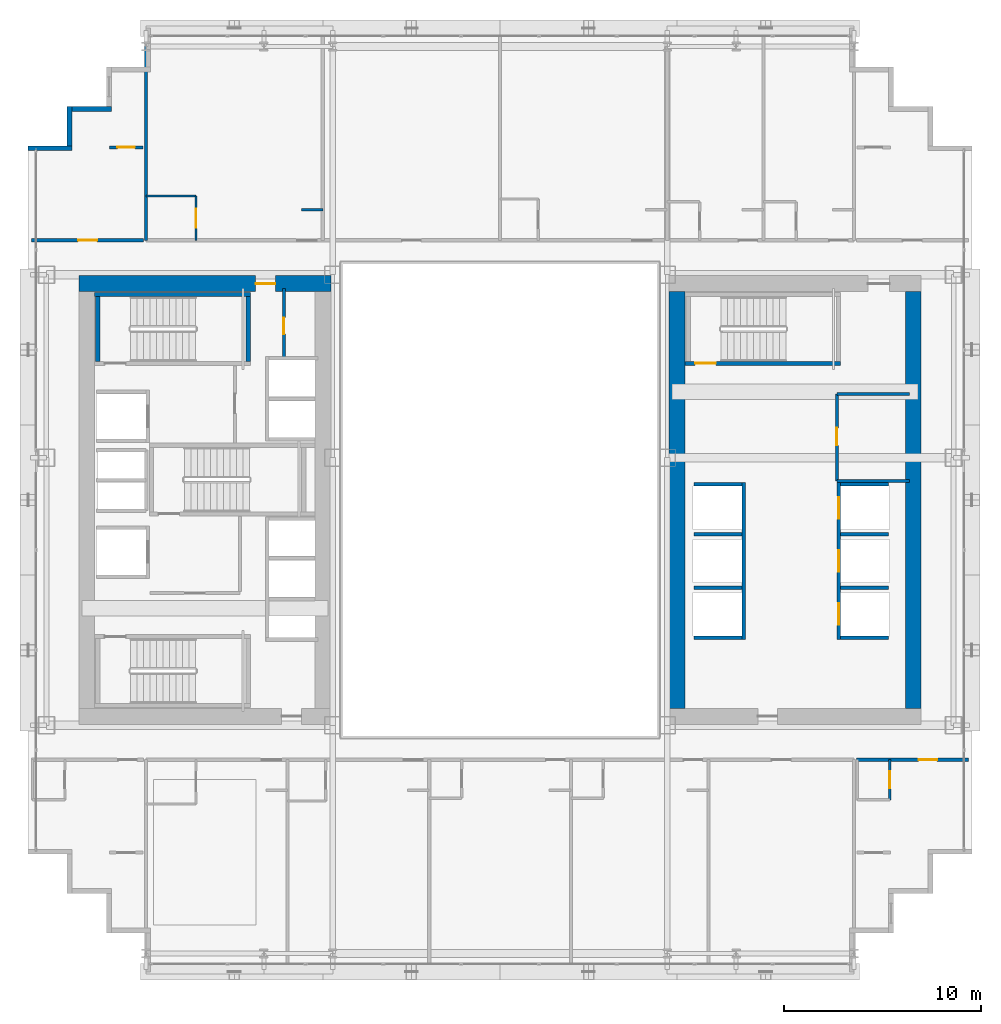
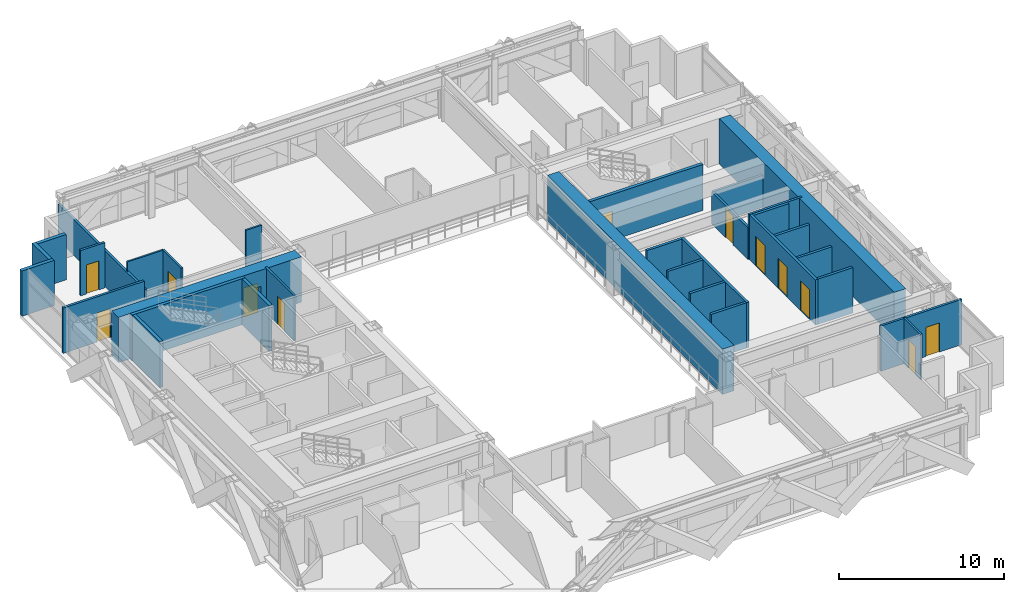
# One storey, part 29 of 35: 32 walls, 12 doors, 12 openings.
"""IFC4 building model written with IfcOpenShell, lengths in metres."""

from ifc_helpers import new_model, si_unit, direction, frame, frame_2d, origin, place, context, subcontext, project, spatial, rectangle, extrude, source, transform, mapped, material, layer, layer_set, type_object, element, fill, save


model = new_model("IFC4")

# Units and contexts
model_context = context("Model", 3, precision=1e-05, world=origin(), true_north=direction((0.0, 1.0)))
body_context = subcontext(model_context, "Body", "Model", "MODEL_VIEW")
ifc_project = project(units=[si_unit("LENGTHUNIT", "METRE"), si_unit("AREAUNIT", "SQUARE_METRE"), si_unit("VOLUMEUNIT", "CUBIC_METRE"), si_unit("PLANEANGLEUNIT", "RADIAN"), si_unit("MASSUNIT", "GRAM", prefix="KILO")], contexts=[model_context])

# Site, building, storey
site_placement = place(None, origin())
site = spatial("IfcSite", under=ifc_project, at=site_placement, CompositionType="ELEMENT")
building_placement = place(site_placement, origin())
building = spatial("IfcBuilding", under=site, at=building_placement, Name="Ocotamira Hotel", CompositionType="ELEMENT")
storey_placement = place(building_placement, frame((0.0, 0.0, 78.0)))
storey = spatial("IfcBuildingStorey", under=building, at=storey_placement, Name="L19", CompositionType="ELEMENT", Elevation=78.0)

# Wall, opening, door
ifc_material_1 = material(Name="Concrete C60/75", Category="concrete")
ifc_layer_1 = layer(ifc_material_1, 0.800048828125)
ifc_layer_set_1 = layer_set([ifc_layer_1], Name="Concrete C60/75")
wall_type_1 = type_object("IfcWallType", Name="WL-CORE-800", PredefinedType="SHEAR", material=ifc_layer_set_1)
wall_1_placement = place(storey_placement, frame((10.60009765625, 37.0, 0.0), z_axis=(0.0, 0.0, 1.0), x_axis=(1.0, 0.0, 0.0)))
wall_1 = element("IfcWall", 1, at=wall_1_placement, inside=storey, type_object=wall_type_1, Name="L19 Shear Core Wall WCORE-N", PredefinedType="SHEAR", context=body_context, shape_type="SweptSolid", body=[
    extrude(rectangle(XDim=12.7998046875, YDim=0.800048828125, at=frame_2d((6.39990234375, 0.0))), origin(), (0.0, 0.0, 1.0), 3.35009765625),
])
opening_1_placement = place(wall_1_placement, frame((8.97998046875, 0.0, 0.0)))
opening_1 = element("IfcOpeningElement", 2, at=opening_1_placement, cuts=wall_1, Name="Opening D-FR2", PredefinedType="OPENING", context=body_context, shape_type="SweptSolid", body=[
    extrude(rectangle(XDim=1.0, YDim=2.14990234375, at=frame_2d((0.5, 1.074951171875))), frame((0.0, 0.41015625, 0.0), z_axis=(0.0, -1.0, 0.0), x_axis=(1.0, 0.0, 0.0)), (0.0, 0.0, 1.0), 0.820068359375),
])
ifc_material_2 = material(Name="Fire-rated acoustic timber-veneer door", Category="wood")
door_type_1 = type_object("IfcDoorType", Name="DR-FIRE-1000", OperationType="NOTDEFINED", PredefinedType="DOOR", material=ifc_material_2)
shared_shape_1 = source(origin(), body_context, "Body", "SweptSolid", [
    extrude(rectangle(XDim=1.0, YDim=2.14990234375, at=frame_2d((0.5, 1.074951171875))), frame((0.0, 0.02490234375, 0.0), z_axis=(0.0, -1.0, 0.0), x_axis=(1.0, 0.0, 0.0)), (0.0, 0.0, 1.0), 0.050048828125),
])
door_1_placement = place(opening_1_placement, origin())
door_1 = element("IfcDoor", 3, at=door_1_placement, inside=storey, type_object=door_type_1, Name="L19 Door ID-L19-WLOB-N-D [ID-L19-WLOB-N-D]", OperationType="SINGLE_SWING_RIGHT", OverallHeight=2.14990234375, OverallWidth=1.0, PredefinedType="DOOR", context=body_context, shape_type="MappedRepresentation", body=[
    mapped(shared_shape_1, transform((0.0, 0.0, 0.0), scale=1.0)),
])
fill(opening_1, door_1)

# Walls
for number, where, z_axis, x_axis, name in (
    (4, (41.0, 15.39990234375, 0.0), (0.0, 0.0, 1.0), (0.0, 1.0, 0.0), "L19 Shear Core Wall ECORE-W"),
    (5, (53.0, 15.39990234375, 0.0), (0.0, 0.0, 1.0), (0.0, 1.0, 0.0), "L19 Shear Core Wall ECORE-E"),
):
    element("IfcWall", number, at=place(storey_placement, frame(where, z_axis=z_axis, x_axis=x_axis)), inside=storey, type_object=wall_type_1, Name=name, PredefinedType="SHEAR", context=body_context, shape_type="SweptSolid", body=[
        extrude(rectangle(XDim=21.2001953125, YDim=0.800048828125, at=frame_2d((10.60009765625, 0.0))), origin(), (0.0, 0.0, 1.0), 3.35009765625),
    ])
ifc_material_3 = material(Name="Precast concrete C45/55", Category="concrete")
ifc_layer_2 = layer(ifc_material_3, 0.25)
ifc_layer_set_2 = layer_set([ifc_layer_2], Name="Precast concrete C45/55")
wall_type_2 = type_object("IfcWallType", Name="WL-EXT-SER-250", PredefinedType="SOLIDWALL", material=ifc_layer_set_2)
for number, where, z_axis, x_axis, name in (
    (6, (12.25, 45.875, 0.0), (0.0, 0.0, 1.0), (-1.0, 0.0, 0.0), "L19 Serrated Corner Wall 16"),
    (7, (10.125, 46.0, 0.0), (0.0, 0.0, 1.0), (0.0, -1.0, 0.0), "L19 Serrated Corner Wall 17"),
):
    element("IfcWall", number, at=place(storey_placement, frame(where, z_axis=z_axis, x_axis=x_axis)), inside=storey, type_object=wall_type_2, Name=name, PredefinedType="SOLIDWALL", context=body_context, shape_type="SweptSolid", body=[
        extrude(rectangle(XDim=2.0, YDim=0.25, at=frame_2d((1.0, 0.0))), origin(), (0.0, 0.0, 1.0), 3.35009765625),
    ])
wall_2_placement = place(storey_placement, frame((10.25, 43.875, 0.0), z_axis=(0.0, 0.0, 1.0), x_axis=(-1.0, 0.0, 0.0)))
element("IfcWall", 8, at=wall_2_placement, inside=storey, type_object=wall_type_2, Name="L19 Serrated Corner Wall 18", PredefinedType="SOLIDWALL", context=body_context, shape_type="SweptSolid", body=[
    extrude(rectangle(XDim=2.25, YDim=0.25, at=frame_2d((1.125, 0.0))), origin(), (0.0, 0.0, 1.0), 3.35009765625),
])
ifc_material_4 = material(Name="Acoustic double-layer fire gypsum board partition", Category="gypsum")
ifc_layer_3 = layer(ifc_material_4, 0.159912109375)
ifc_layer_set_3 = layer_set([ifc_layer_3], Name="Acoustic double-layer fire gypsum board partition")
wall_type_3 = type_object("IfcWallType", Name="WL-FIRE-160", PredefinedType="PARTITIONING", material=ifc_layer_set_3)
wall_3_placement = place(storey_placement, frame((49.1201171875, 26.969970703125, 0.0), z_axis=(0.0, 0.0, 1.0), x_axis=(1.0, 0.0, 0.0)))
element("IfcWall", 9, at=wall_3_placement, inside=storey, type_object=wall_type_3, Name="L19 Interior Wall PW-L19-EC-NEL-S", PredefinedType="PARTITIONING", context=body_context, shape_type="SweptSolid", body=[
    extrude(rectangle(XDim=3.679931640625, YDim=0.159912109375, at=frame_2d((1.83984375, 0.0))), origin(), (0.0, 0.0, 1.0), 3.35009765625),
])
wall_4_placement = place(storey_placement, frame((49.1201171875, 31.3798828125, 0.0), z_axis=(0.0, 0.0, 1.0), x_axis=(1.0, 0.0, 0.0)))
element("IfcWall", 10, at=wall_4_placement, inside=storey, type_object=wall_type_3, Name="L19 Interior Wall PW-L19-EC-NEL-N", PredefinedType="PARTITIONING", context=body_context, shape_type="SweptSolid", body=[
    extrude(rectangle(XDim=3.679931640625, YDim=0.159912109375, at=frame_2d((1.83984375, 0.0))), origin(), (0.0, 0.0, 1.0), 2.360107421875),
])

# Wall, opening, door
wall_5_placement = place(storey_placement, frame((49.1201171875, 26.969970703125, 0.0), z_axis=(0.0, 0.0, 1.0), x_axis=(0.0, 1.0, 0.0)))
wall_5 = element("IfcWall", 11, at=wall_5_placement, inside=storey, type_object=wall_type_3, Name="L19 Interior Wall PW-L19-EC-NEL-W", PredefinedType="PARTITIONING", context=body_context, shape_type="SweptSolid", body=[
    extrude(rectangle(XDim=4.409912109375, YDim=0.159912109375, at=frame_2d((2.205078125, 0.0))), origin(), (0.0, 0.0, 1.0), 2.360107421875),
])
opening_2_placement = place(wall_5_placement, frame((1.800048828125, 0.0, 0.0)))
opening_2 = element("IfcOpeningElement", 12, at=opening_2_placement, cuts=wall_5, Name="Opening D-IN3", PredefinedType="OPENING", context=body_context, shape_type="SweptSolid", body=[
    extrude(rectangle(XDim=0.89990234375, YDim=2.14990234375, at=frame_2d((0.449951171875, 1.074951171875))), frame((0.0, 0.08984375, 0.0), z_axis=(0.0, -1.0, 0.0), x_axis=(1.0, 0.0, 0.0)), (0.0, 0.0, 1.0), 0.179931640625),
])
ifc_material_5 = material(Name="Painted service room door", Category="steel")
door_type_2 = type_object("IfcDoorType", Name="DR-INT-900", OperationType="NOTDEFINED", PredefinedType="DOOR", material=ifc_material_5)
shared_shape_2 = source(origin(), body_context, "Body", "SweptSolid", [
    extrude(rectangle(XDim=0.89990234375, YDim=2.14990234375, at=frame_2d((0.449951171875, 1.074951171875))), frame((0.0, 0.02490234375, 0.0), z_axis=(0.0, -1.0, 0.0), x_axis=(1.0, 0.0, 0.0)), (0.0, 0.0, 1.0), 0.050048828125),
])
door_2_placement = place(opening_2_placement, origin())
door_2 = element("IfcDoor", 13, at=door_2_placement, inside=storey, type_object=door_type_2, Name="L19 Door ID-L19-EC-NEL-D [ID-L19-EC-NEL-D]", OperationType="SINGLE_SWING_RIGHT", OverallHeight=2.14990234375, OverallWidth=0.89990234375, PredefinedType="DOOR", context=body_context, shape_type="MappedRepresentation", body=[
    mapped(shared_shape_2, transform((0.0, 0.0, 0.0), scale=1.0)),
])
fill(opening_2, door_2)

wall_6_placement = place(storey_placement, frame((50.1201171875, 12.800048828125, 0.0), z_axis=(0.0, 0.0, 1.0), x_axis=(1.0, 0.0, 0.0)))
wall_6 = element("IfcWall", 14, at=wall_6_placement, inside=storey, type_object=wall_type_3, Name="L19 Interior Wall PW-L19-Z1E-CSE-CW", PredefinedType="PARTITIONING", context=body_context, shape_type="SweptSolid", body=[
    extrude(rectangle(XDim=5.679931640625, YDim=0.159912109375, at=frame_2d((2.83984375, 0.0))), origin(), (0.0, 0.0, 1.0), 3.35009765625),
])
opening_3_placement = place(wall_6_placement, frame((3.14990234375, 0.0, 0.0)))
opening_3 = element("IfcOpeningElement", 15, at=opening_3_placement, cuts=wall_6, Name="Opening D-GR1", PredefinedType="OPENING", context=body_context, shape_type="SweptSolid", body=[
    extrude(rectangle(XDim=0.93994140625, YDim=2.14990234375, at=frame_2d((0.469970703125, 1.074951171875))), frame((0.0, 0.08984375, 0.0), z_axis=(0.0, -1.0, 0.0), x_axis=(1.0, 0.0, 0.0)), (0.0, 0.0, 1.0), 0.179931640625),
])
ifc_material_6 = material(Name="Solid-core walnut suite entrance fire door", Category="wood")
door_type_3 = type_object("IfcDoorType", Name="DR-GUEST-940", OperationType="NOTDEFINED", PredefinedType="DOOR", material=ifc_material_6)
shared_shape_3 = source(origin(), body_context, "Body", "SweptSolid", [
    extrude(rectangle(XDim=0.93994140625, YDim=2.14990234375, at=frame_2d((0.469970703125, 1.074951171875))), frame((0.0, 0.02490234375, 0.0), z_axis=(0.0, -1.0, 0.0), x_axis=(1.0, 0.0, 0.0)), (0.0, 0.0, 1.0), 0.050048828125),
])
door_3_placement = place(opening_3_placement, origin())
door_3 = element("IfcDoor", 16, at=door_3_placement, inside=storey, type_object=door_type_3, Name="L19 Door ID-L19-Z1E-CSE-CD [ID-L19-Z1E-CSE-CD]", OperationType="SINGLE_SWING_RIGHT", OverallHeight=2.14990234375, OverallWidth=0.93994140625, PredefinedType="DOOR", context=body_context, shape_type="MappedRepresentation", body=[
    mapped(shared_shape_3, transform((0.0, 0.0, 0.0), scale=1.0)),
])
fill(opening_3, door_3)

wall_7_placement = place(storey_placement, frame((8.199951171875, 39.199951171875, 0.0), z_axis=(0.0, 0.0, 1.0), x_axis=(1.0, 0.0, 0.0)))
wall_7 = element("IfcWall", 17, at=wall_7_placement, inside=storey, type_object=wall_type_3, Name="L19 Interior Wall PW-L19-Z1E-CNW-CW", PredefinedType="PARTITIONING", context=body_context, shape_type="SweptSolid", body=[
    extrude(rectangle(XDim=5.679931640625, YDim=0.159912109375, at=frame_2d((2.83984375, 0.0))), origin(), (0.0, 0.0, 1.0), 3.35009765625),
])
opening_4_placement = place(wall_7_placement, frame((2.360107421875, 0.0, 0.0)))
opening_4 = element("IfcOpeningElement", 18, at=opening_4_placement, cuts=wall_7, Name="Opening D-SV4", PredefinedType="OPENING", context=body_context, shape_type="SweptSolid", body=[
    extrude(rectangle(XDim=0.9599609375, YDim=2.14990234375, at=frame_2d((0.47998046875, 1.074951171875))), frame((0.0, 0.08984375, 0.0), z_axis=(0.0, -1.0, 0.0), x_axis=(1.0, 0.0, 0.0)), (0.0, 0.0, 1.0), 0.179931640625),
])
ifc_material_7 = material(Name="Fire-rated accessible walnut salon door", Category="wood")
door_type_4 = type_object("IfcDoorType", Name="DR-SERV-960", OperationType="NOTDEFINED", PredefinedType="DOOR", material=ifc_material_7)
shared_shape_4 = source(origin(), body_context, "Body", "SweptSolid", [
    extrude(rectangle(XDim=0.9599609375, YDim=2.14990234375, at=frame_2d((0.47998046875, 1.074951171875))), frame((0.0, 0.02490234375, 0.0), z_axis=(0.0, -1.0, 0.0), x_axis=(1.0, 0.0, 0.0)), (0.0, 0.0, 1.0), 0.050048828125),
])
door_4_placement = place(opening_4_placement, origin())
door_4 = element("IfcDoor", 19, at=door_4_placement, inside=storey, type_object=door_type_4, Name="L19 Door ID-L19-Z1E-CNW-CD [ID-L19-Z1E-CNW-CD]", OperationType="SINGLE_SWING_LEFT", OverallHeight=2.14990234375, OverallWidth=0.9599609375, PredefinedType="DOOR", context=body_context, shape_type="MappedRepresentation", body=[
    mapped(shared_shape_4, transform((0.0, 0.0, 0.0), scale=1.0)),
])
fill(opening_4, door_4)

wall_8_placement = place(storey_placement, frame((12.14990234375, 43.919921875, 0.0), z_axis=(0.0, 0.0, 1.0), x_axis=(1.0, 0.0, 0.0)))
wall_8 = element("IfcWall", 20, at=wall_8_placement, inside=storey, type_object=wall_type_3, Name="L19 Interior Wall PW-L19-Z1E-CNW2-CW", PredefinedType="PARTITIONING", context=body_context, shape_type="SweptSolid", body=[
    extrude(rectangle(XDim=1.7001953125, YDim=0.159912109375, at=frame_2d((0.85009765625, 0.0))), origin(), (0.0, 0.0, 1.0), 3.35009765625),
])
opening_5_placement = place(wall_8_placement, frame((0.409912109375, 0.0, 0.0)))
opening_5 = element("IfcOpeningElement", 21, at=opening_5_placement, cuts=wall_8, Name="Opening D-SV2", PredefinedType="OPENING", context=body_context, shape_type="SweptSolid", body=[
    extrude(rectangle(XDim=0.8798828125, YDim=2.14990234375, at=frame_2d((0.43994140625, 1.074951171875))), frame((0.0, 0.08984375, 0.0), z_axis=(0.0, -1.0, 0.0), x_axis=(1.0, 0.0, 0.0)), (0.0, 0.0, 1.0), 0.179931640625),
])
ifc_material_8 = material(Name="Fire-rated painted steel service door", Category="steel")
door_type_5 = type_object("IfcDoorType", Name="DR-SERV-880", OperationType="NOTDEFINED", PredefinedType="DOOR", material=ifc_material_8)
shared_shape_5 = source(origin(), body_context, "Body", "SweptSolid", [
    extrude(rectangle(XDim=0.8798828125, YDim=2.14990234375, at=frame_2d((0.43994140625, 1.074951171875))), frame((0.0, 0.02490234375, 0.0), z_axis=(0.0, -1.0, 0.0), x_axis=(1.0, 0.0, 0.0)), (0.0, 0.0, 1.0), 0.050048828125),
])
door_5_placement = place(opening_5_placement, origin())
door_5 = element("IfcDoor", 22, at=door_5_placement, inside=storey, type_object=door_type_5, Name="L19 Door ID-L19-Z1E-CNW2-CD [ID-L19-Z1E-CNW2-CD]", OperationType="SINGLE_SWING_LEFT", OverallHeight=2.14990234375, OverallWidth=0.8798828125, PredefinedType="DOOR", context=body_context, shape_type="MappedRepresentation", body=[
    mapped(shared_shape_5, transform((0.0, 0.0, 0.0), scale=1.0)),
])
fill(opening_5, door_5)

ifc_material_9 = material(Name="Moisture-resistant en-suite tile and gypsum partition", Category="gypsum")
ifc_layer_4 = layer(ifc_material_9, 0.1201171875)
ifc_layer_set_4 = layer_set([ifc_layer_4], Name="Moisture-resistant en-suite tile and gypsum partition")
wall_type_4 = type_object("IfcWallType", Name="WL-PART-120", PredefinedType="PARTITIONING", material=ifc_layer_set_4)
wall_9_placement = place(storey_placement, frame((51.81005859375, 10.760009765625, 0.0), z_axis=(0.0, 0.0, 1.0), x_axis=(0.0, 1.0, 0.0)))
wall_9 = element("IfcWall", 23, at=wall_9_placement, inside=storey, type_object=wall_type_4, Name="L19 Interior Wall PW-L19-Z1E-CSE-BE", PredefinedType="PARTITIONING", context=body_context, shape_type="SweptSolid", body=[
    extrude(rectangle(XDim=2.0400390625, YDim=0.1201171875, at=frame_2d((1.02001953125, 0.0))), origin(), (0.0, 0.0, 1.0), 3.35009765625),
])
opening_6_placement = place(wall_9_placement, frame((0.590087890625, 0.0, 0.0)))
opening_6 = element("IfcOpeningElement", 24, at=opening_6_placement, cuts=wall_9, Name="Opening D-BA1", PredefinedType="OPENING", context=body_context, shape_type="SweptSolid", body=[
    extrude(rectangle(XDim=0.860107421875, YDim=2.10009765625, at=frame_2d((0.43017578125, 1.050048828125))), frame((0.0, 0.070068359375, 0.0), z_axis=(0.0, -1.0, 0.0), x_axis=(1.0, 0.0, 0.0)), (0.0, 0.0, 1.0), 0.14013671875),
])
ifc_material_10 = material(Name="Moisture-sealed en-suite timber door", Category="wood")
door_type_6 = type_object("IfcDoorType", Name="DR-BATH-860", OperationType="NOTDEFINED", PredefinedType="DOOR", material=ifc_material_10)
shared_shape_6 = source(origin(), body_context, "Body", "SweptSolid", [
    extrude(rectangle(XDim=0.860107421875, YDim=2.10009765625, at=frame_2d((0.43017578125, 1.050048828125))), frame((0.0, 0.02490234375, 0.0), z_axis=(0.0, -1.0, 0.0), x_axis=(1.0, 0.0, 0.0)), (0.0, 0.0, 1.0), 0.050048828125),
])
door_6_placement = place(opening_6_placement, origin())
door_6 = element("IfcDoor", 25, at=door_6_placement, inside=storey, type_object=door_type_6, Name="L19 Door ID-L19-Z1E-CSE-BD [ID-L19-Z1E-CSE-BD]", OperationType="SINGLE_SWING_LEFT", OverallHeight=2.10009765625, OverallWidth=0.860107421875, PredefinedType="DOOR", context=body_context, shape_type="MappedRepresentation", body=[
    mapped(shared_shape_6, transform((0.0, 0.0, 0.0), scale=1.0)),
])
fill(opening_6, door_6)

wall_10_placement = place(storey_placement, frame((16.550048828125, 39.199951171875, 0.0), z_axis=(0.0, 0.0, 1.0), x_axis=(0.0, 1.0, 0.0)))
wall_10 = element("IfcWall", 26, at=wall_10_placement, inside=storey, type_object=wall_type_4, Name="L19 Interior Wall PW-L19-Z1EN-BAE1", PredefinedType="PARTITIONING", context=body_context, shape_type="SweptSolid", body=[
    extrude(rectangle(XDim=2.25, YDim=0.1201171875, at=frame_2d((1.125, 0.0))), origin(), (0.0, 0.0, 1.0), 3.35009765625),
])
opening_7_placement = place(wall_10_placement, frame((0.64501953125, 0.0, 0.0)))
opening_7 = element("IfcOpeningElement", 27, at=opening_7_placement, cuts=wall_10, Name="Opening D-IN1", PredefinedType="OPENING", context=body_context, shape_type="SweptSolid", body=[
    extrude(rectangle(XDim=0.9599609375, YDim=2.14990234375, at=frame_2d((0.47998046875, 1.074951171875))), frame((0.0, 0.070068359375, 0.0), z_axis=(0.0, -1.0, 0.0), x_axis=(1.0, 0.0, 0.0)), (0.0, 0.0, 1.0), 0.14013671875),
])
ifc_material_11 = material(Name="Accessible walnut interior room door", Category="wood")
door_type_7 = type_object("IfcDoorType", Name="DR-INT-960", OperationType="NOTDEFINED", PredefinedType="DOOR", material=ifc_material_11)
door_7_placement = place(opening_7_placement, origin())
door_7 = element("IfcDoor", 28, at=door_7_placement, inside=storey, type_object=door_type_7, Name="L19 Door ID-L19-Z1EN-BAD1 [ID-L19-Z1EN-BAD1]", OperationType="SINGLE_SWING_RIGHT", OverallHeight=2.14990234375, OverallWidth=0.9599609375, PredefinedType="DOOR", context=body_context, shape_type="MappedRepresentation", body=[
    mapped(shared_shape_4, transform((0.0, 0.0, 0.0), scale=1.0)),
])
fill(opening_7, door_7)

# Walls
wall_11_placement = place(storey_placement, frame((14.0, 41.449951171875, 0.0), z_axis=(0.0, 0.0, 1.0), x_axis=(1.0, 0.0, 0.0)))
element("IfcWall", 29, at=wall_11_placement, inside=storey, type_object=wall_type_4, Name="L19 Interior Wall PW-L19-Z1EN-BAN1", PredefinedType="PARTITIONING", context=body_context, shape_type="SweptSolid", body=[
    extrude(rectangle(XDim=2.550048828125, YDim=0.1201171875, at=frame_2d((1.27490234375, 0.0))), origin(), (0.0, 0.0, 1.0), 3.35009765625),
])
wall_12_placement = place(storey_placement, frame((21.89990234375, 40.75, 0.0), z_axis=(0.0, 0.0, 1.0), x_axis=(1.0, 0.0, 0.0)))
element("IfcWall", 30, at=wall_12_placement, inside=storey, type_object=wall_type_4, Name="L19 Interior Wall PW-L19-Z1EN-DRN1", PredefinedType="PARTITIONING", context=body_context, shape_type="SweptSolid", body=[
    extrude(rectangle(XDim=1.10009765625, YDim=0.1201171875, at=frame_2d((0.550048828125, 0.0))), origin(), (0.0, 0.0, 1.0), 3.35009765625),
])

# Wall, opening, door
ifc_material_12 = material(Name="Acoustic hospitality gypsum board partition", Category="gypsum")
ifc_layer_5 = layer(ifc_material_12, 0.14208984375)
ifc_layer_set_5 = layer_set([ifc_layer_5], Name="Acoustic hospitality gypsum board partition")
wall_type_5 = type_object("IfcWallType", Name="WL-PART-142", PredefinedType="PARTITIONING", material=ifc_layer_set_5)
wall_13_placement = place(storey_placement, frame((21.02001953125, 33.280029296875, 0.0), z_axis=(0.0, 0.0, 1.0), x_axis=(0.0, 1.0, 0.0)))
wall_13 = element("IfcWall", 31, at=wall_13_placement, inside=storey, type_object=wall_type_5, Name="L19 Interior Wall PW-L19-WC-NE-W", PredefinedType="PARTITIONING", context=body_context, shape_type="SweptSolid", body=[
    extrude(rectangle(XDim=3.469970703125, YDim=0.14208984375, at=frame_2d((1.73486328125, 0.0))), origin(), (0.0, 0.0, 1.0), 3.35009765625),
])
opening_8_placement = place(wall_13_placement, frame((1.14990234375, 0.0, 0.0)))
opening_8 = element("IfcOpeningElement", 32, at=opening_8_placement, cuts=wall_13, Name="Opening D-SV1", PredefinedType="OPENING", context=body_context, shape_type="SweptSolid", body=[
    extrude(rectangle(XDim=0.840087890625, YDim=2.10009765625, at=frame_2d((0.419921875, 1.050048828125))), frame((0.0, 0.0810546875, 0.0), z_axis=(0.0, -1.0, 0.0), x_axis=(1.0, 0.0, 0.0)), (0.0, 0.0, 1.0), 0.162109375),
])
door_type_8 = type_object("IfcDoorType", Name="DR-SERV-840", OperationType="NOTDEFINED", PredefinedType="DOOR", material=ifc_material_8)
shared_shape_7 = source(origin(), body_context, "Body", "SweptSolid", [
    extrude(rectangle(XDim=0.840087890625, YDim=2.10009765625, at=frame_2d((0.419921875, 1.050048828125))), frame((0.0, 0.02490234375, 0.0), z_axis=(0.0, -1.0, 0.0), x_axis=(1.0, 0.0, 0.0)), (0.0, 0.0, 1.0), 0.050048828125),
])
door_8_placement = place(opening_8_placement, origin())
door_8 = element("IfcDoor", 33, at=door_8_placement, inside=storey, type_object=door_type_8, Name="L19 Door ID-L19-WC-NE-D [ID-L19-WC-NE-D]", OperationType="SINGLE_SWING_LEFT", OverallHeight=2.10009765625, OverallWidth=0.840087890625, PredefinedType="DOOR", context=body_context, shape_type="MappedRepresentation", body=[
    mapped(shared_shape_7, transform((0.0, 0.0, 0.0), scale=1.0)),
])
fill(opening_8, door_8)

# Wall
ifc_material_13 = material(Name="Acoustic double-stud hospitality gypsum partition", Category="gypsum")
ifc_layer_6 = layer(ifc_material_13, 0.159912109375)
ifc_layer_set_6 = layer_set([ifc_layer_6], Name="Acoustic double-stud hospitality gypsum partition")
wall_type_6 = type_object("IfcWallType", Name="WL-PART-160", PredefinedType="PARTITIONING", material=ifc_layer_set_6)
wall_14_placement = place(storey_placement, frame((14.0, 39.199951171875, 0.0), z_axis=(0.0, 0.0, 1.0), x_axis=(0.0, 1.0, 0.0)))
element("IfcWall", 34, at=wall_14_placement, inside=storey, type_object=wall_type_6, Name="L19 Interior Wall PW-L19-Z1EN-PW0", PredefinedType="PARTITIONING", context=body_context, shape_type="SweptSolid", body=[
    extrude(rectangle(XDim=10.43994140625, YDim=0.159912109375, at=frame_2d((5.219970703125, 0.0))), origin(), (0.0, 0.0, 1.0), 2.656982421875),
])

# Wall, openings, doors
ifc_material_14 = material(Name="Fire-rated gypsum shaftliner board assembly", Category="gypsum")
ifc_layer_7 = layer(ifc_material_14, 0.179931640625)
ifc_layer_set_7 = layer_set([ifc_layer_7], Name="Fire-rated gypsum shaftliner board assembly")
wall_type_7 = type_object("IfcWallType", Name="WL-SHAFT-180", PredefinedType="SOLIDWALL", material=ifc_layer_set_7)
wall_15_placement = place(storey_placement, frame((49.2099609375, 18.919921875, 0.0), z_axis=(0.0, 0.0, 1.0), x_axis=(0.0, 1.0, 0.0)))
wall_15 = element("IfcWall", 35, at=wall_15_placement, inside=storey, type_object=wall_type_7, Name="L19 Interior Wall PW-L19-LFW-BANK-low-F", PredefinedType="SOLIDWALL", context=body_context, shape_type="SweptSolid", body=[
    extrude(rectangle(XDim=7.9599609375, YDim=0.179931640625, at=frame_2d((3.97998046875, 0.0))), origin(), (0.0, 0.0, 1.0), 3.35009765625),
])
opening_9_placement = place(wall_15_placement, frame((0.72998046875, 0.0, 0.0)))
opening_9 = element("IfcOpeningElement", 36, at=opening_9_placement, cuts=wall_15, Name="Opening LD-LF-P1", PredefinedType="OPENING", context=body_context, shape_type="SweptSolid", body=[
    extrude(rectangle(XDim=1.10009765625, YDim=2.199951171875, at=frame_2d((0.550048828125, 1.10009765625))), frame((0.0, 0.10009765625, 0.0), z_axis=(0.0, -1.0, 0.0), x_axis=(1.0, 0.0, 0.0)), (0.0, 0.0, 1.0), 0.199951171875),
])
opening_10_placement = place(wall_15_placement, frame((3.429931640625, 0.0, 0.0)))
opening_10 = element("IfcOpeningElement", 37, at=opening_10_placement, cuts=wall_15, Name="Opening LD-LF-P2", PredefinedType="OPENING", context=body_context, shape_type="SweptSolid", body=[
    extrude(rectangle(XDim=1.10009765625, YDim=2.199951171875, at=frame_2d((0.550048828125, 1.10009765625))), frame((0.0, 0.10009765625, 0.0), z_axis=(0.0, -1.0, 0.0), x_axis=(1.0, 0.0, 0.0)), (0.0, 0.0, 1.0), 0.199951171875),
])
opening_11_placement = place(wall_15_placement, frame((6.1298828125, 0.0, 0.0)))
opening_11 = element("IfcOpeningElement", 38, at=opening_11_placement, cuts=wall_15, Name="Opening LD-LF-P3", PredefinedType="OPENING", context=body_context, shape_type="SweptSolid", body=[
    extrude(rectangle(XDim=1.10009765625, YDim=2.199951171875, at=frame_2d((0.550048828125, 1.10009765625))), frame((0.0, 0.10009765625, 0.0), z_axis=(0.0, -1.0, 0.0), x_axis=(1.0, 0.0, 0.0)), (0.0, 0.0, 1.0), 0.199951171875),
])
ifc_material_15 = material(Name="Brushed pale-metal stainless elevator landing door", Category="steel")
door_type_9 = type_object("IfcDoorType", Name="DR-LIFT-1100", OperationType="NOTDEFINED", PredefinedType="DOOR", material=ifc_material_15)
shared_shape_8 = source(origin(), body_context, "Body", "SweptSolid", [
    extrude(rectangle(XDim=1.10009765625, YDim=2.199951171875, at=frame_2d((0.550048828125, 1.10009765625))), frame((0.0, 0.02490234375, 0.0), z_axis=(0.0, -1.0, 0.0), x_axis=(1.0, 0.0, 0.0)), (0.0, 0.0, 1.0), 0.050048828125),
])
door_9_placement = place(opening_9_placement, origin())
door_9 = element("IfcDoor", 39, at=door_9_placement, inside=storey, type_object=door_type_9, Name="L19 Landing Door LD-LF-P1 [ID-L19-LD-LF-P1]", OperationType="DOUBLE_DOOR_SLIDING", OverallHeight=2.199951171875, OverallWidth=1.10009765625, PredefinedType="DOOR", context=body_context, shape_type="MappedRepresentation", body=[
    mapped(shared_shape_8, transform((0.0, 0.0, 0.0), scale=1.0)),
])
fill(opening_9, door_9)
door_10_placement = place(opening_10_placement, origin())
door_10 = element("IfcDoor", 40, at=door_10_placement, inside=storey, type_object=door_type_9, Name="L19 Landing Door LD-LF-P2 [ID-L19-LD-LF-P2]", OperationType="DOUBLE_DOOR_SLIDING", OverallHeight=2.199951171875, OverallWidth=1.10009765625, PredefinedType="DOOR", context=body_context, shape_type="MappedRepresentation", body=[
    mapped(shared_shape_8, transform((0.0, 0.0, 0.0), scale=1.0)),
])
fill(opening_10, door_10)
door_11_placement = place(opening_11_placement, origin())
door_11 = element("IfcDoor", 41, at=door_11_placement, inside=storey, type_object=door_type_9, Name="L19 Landing Door LD-LF-P3 [ID-L19-LD-LF-P3]", OperationType="DOUBLE_DOOR_SLIDING", OverallHeight=2.199951171875, OverallWidth=1.10009765625, PredefinedType="DOOR", context=body_context, shape_type="MappedRepresentation", body=[
    mapped(shared_shape_8, transform((0.0, 0.0, 0.0), scale=1.0)),
])
fill(opening_11, door_11)

# Walls
for number, where, z_axis, x_axis, name in (
    (42, (49.300048828125, 19.010009765625, 0.0), (0.0, 0.0, 1.0), (1.0, 0.0, 0.0), "L19 Interior Wall PW-L19-LFW-BANK-low-S"),
    (43, (49.300048828125, 26.7900390625, 0.0), (0.0, 0.0, 1.0), (1.0, 0.0, 0.0), "L19 Interior Wall PW-L19-LFW-BANK-low-N"),
    (44, (49.300048828125, 21.550048828125, 0.0), (0.0, 0.0, 1.0), (1.0, 0.0, 0.0), "L19 Interior Wall PW-L19-LFW-DIV-LF-P1"),
    (45, (49.300048828125, 24.25, 0.0), (0.0, 0.0, 1.0), (1.0, 0.0, 0.0), "L19 Interior Wall PW-L19-LFW-DIV-LF-P2"),
):
    element("IfcWall", number, at=place(storey_placement, frame(where, z_axis=z_axis, x_axis=x_axis)), inside=storey, type_object=wall_type_7, Name=name, PredefinedType="SOLIDWALL", context=body_context, shape_type="SweptSolid", body=[
        extrude(rectangle(XDim=2.449951171875, YDim=0.179931640625, at=frame_2d((1.22509765625, 0.0))), origin(), (0.0, 0.0, 1.0), 3.35009765625),
    ])
wall_16_placement = place(storey_placement, frame((44.389892578125, 18.919921875, 0.0), z_axis=(0.0, 0.0, 1.0), x_axis=(0.0, 1.0, 0.0)))
element("IfcWall", 46, at=wall_16_placement, inside=storey, type_object=wall_type_7, Name="L19 Interior Wall PW-L19-LFW-BANK-mid-F", PredefinedType="SOLIDWALL", context=body_context, shape_type="SweptSolid", body=[
    extrude(rectangle(XDim=7.9599609375, YDim=0.179931640625, at=frame_2d((3.97998046875, 0.0))), origin(), (0.0, 0.0, 1.0), 3.35009765625),
])
for number, where, z_axis, x_axis, name in (
    (47, (41.85009765625, 19.010009765625, 0.0), (0.0, 0.0, 1.0), (1.0, 0.0, 0.0), "L19 Interior Wall PW-L19-LFW-BANK-mid-S"),
    (48, (41.85009765625, 26.7900390625, 0.0), (0.0, 0.0, 1.0), (1.0, 0.0, 0.0), "L19 Interior Wall PW-L19-LFW-BANK-mid-N"),
    (49, (41.85009765625, 21.550048828125, 0.0), (0.0, 0.0, 1.0), (1.0, 0.0, 0.0), "L19 Interior Wall PW-L19-LFW-DIV-LF-P4"),
    (50, (41.85009765625, 24.25, 0.0), (0.0, 0.0, 1.0), (1.0, 0.0, 0.0), "L19 Interior Wall PW-L19-LFW-DIV-LF-P5"),
):
    element("IfcWall", number, at=place(storey_placement, frame(where, z_axis=z_axis, x_axis=x_axis)), inside=storey, type_object=wall_type_7, Name=name, PredefinedType="SOLIDWALL", context=body_context, shape_type="SweptSolid", body=[
        extrude(rectangle(XDim=2.449951171875, YDim=0.179931640625, at=frame_2d((1.22509765625, 0.0))), origin(), (0.0, 0.0, 1.0), 3.35009765625),
    ])
ifc_material_16 = material(Name="Concrete C50/60", Category="concrete")
ifc_layer_8 = layer(ifc_material_16, 0.219970703125)
ifc_layer_set_8 = layer_set([ifc_layer_8], Name="Concrete C50/60")
wall_type_8 = type_object("IfcWallType", Name="WL-STAIR-220", PredefinedType="SHEAR", material=ifc_layer_set_8)
wall_17_placement = place(storey_placement, frame((11.39990234375, 36.43994140625, 0.0), z_axis=(0.0, 0.0, 1.0), x_axis=(1.0, 0.0, 0.0)))
element("IfcWall", 51, at=wall_17_placement, inside=storey, type_object=wall_type_8, Name="L19 Stair Shaft Structural Wall ST-2-N", PredefinedType="SHEAR", context=body_context, shape_type="SweptSolid", body=[
    extrude(rectangle(XDim=7.91015625, YDim=0.219970703125, at=frame_2d((3.955078125, 0.0))), origin(), (0.0, 0.0, 1.0), 3.39990234375),
])
for number, where, z_axis, x_axis, name in (
    (52, (11.56005859375, 33.050048828125, 0.0), (0.0, 0.0, 1.0), (0.0, 1.0, 0.0), "L19 Stair Shaft Structural Wall ST-2-W"),
    (53, (19.199951171875, 33.050048828125, 0.0), (0.0, 0.0, 1.0), (0.0, 1.0, 0.0), "L19 Stair Shaft Structural Wall ST-2-E"),
):
    element("IfcWall", number, at=place(storey_placement, frame(where, z_axis=z_axis, x_axis=x_axis)), inside=storey, type_object=wall_type_8, Name=name, PredefinedType="SHEAR", context=body_context, shape_type="SweptSolid", body=[
        extrude(rectangle(XDim=3.280029296875, YDim=0.219970703125, at=frame_2d((1.64013671875, 0.0))), origin(), (0.0, 0.0, 1.0), 3.39990234375),
    ])

# Wall, opening, door
wall_18_placement = place(storey_placement, frame((41.39990234375, 32.93994140625, 0.0), z_axis=(0.0, 0.0, 1.0), x_axis=(1.0, 0.0, 0.0)))
wall_18 = element("IfcWall", 54, at=wall_18_placement, inside=storey, type_object=wall_type_8, Name="L19 Stair Shaft Structural Wall ST-4-S", PredefinedType="SHEAR", context=body_context, shape_type="SweptSolid", body=[
    extrude(rectangle(XDim=7.91015625, YDim=0.219970703125, at=frame_2d((3.955078125, 0.0))), origin(), (0.0, 0.0, 1.0), 3.39990234375),
])
opening_12_placement = place(wall_18_placement, frame((0.52001953125, 0.0, 0.0)))
opening_12 = element("IfcOpeningElement", 55, at=opening_12_placement, cuts=wall_18, Name="Opening D-ST2", PredefinedType="OPENING", context=body_context, shape_type="SweptSolid", body=[
    extrude(rectangle(XDim=1.050048828125, YDim=2.14990234375, at=frame_2d((0.52490234375, 1.074951171875))), frame((0.0, 0.1201171875, 0.0), z_axis=(0.0, -1.0, 0.0), x_axis=(1.0, 0.0, 0.0)), (0.0, 0.0, 1.0), 0.239990234375),
])
ifc_material_17 = material(Name="Insulated painted hollow-metal fire exit door", Category="steel")
door_type_10 = type_object("IfcDoorType", Name="DR-STAIR-1050", OperationType="NOTDEFINED", PredefinedType="DOOR", material=ifc_material_17)
shared_shape_9 = source(origin(), body_context, "Body", "SweptSolid", [
    extrude(rectangle(XDim=1.050048828125, YDim=2.14990234375, at=frame_2d((0.52490234375, 1.074951171875))), frame((0.0, 0.02490234375, 0.0), z_axis=(0.0, -1.0, 0.0), x_axis=(1.0, 0.0, 0.0)), (0.0, 0.0, 1.0), 0.050048828125),
])
door_12_placement = place(opening_12_placement, origin())
door_12 = element("IfcDoor", 56, at=door_12_placement, inside=storey, type_object=door_type_10, Name="L19 Door ID-L19-STD-ST-4 [ID-L19-STD-ST-4]", OperationType="SINGLE_SWING_LEFT", OverallHeight=2.14990234375, OverallWidth=1.050048828125, PredefinedType="DOOR", context=body_context, shape_type="MappedRepresentation", body=[
    mapped(shared_shape_9, transform((0.0, 0.0, 0.0), scale=1.0)),
])
fill(opening_12, door_12)

save(model, "model.ifc")
